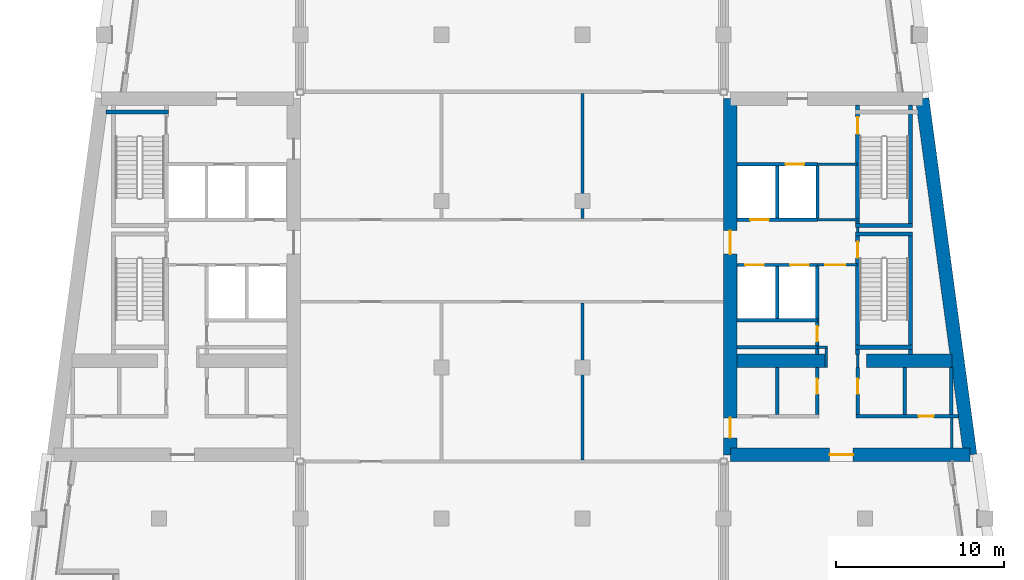
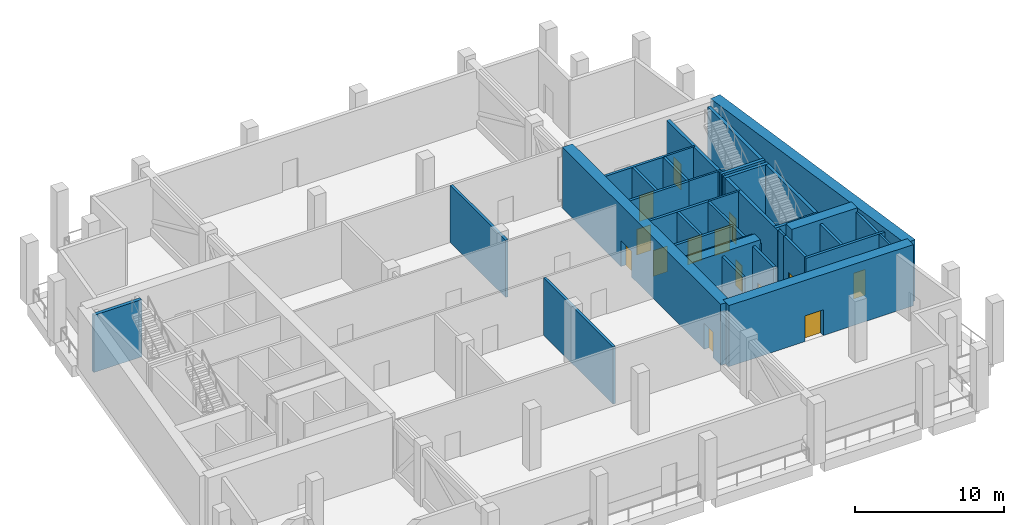
# One storey, part 6 of 11: 38 walls, 14 doors, 14 openings.
"""IFC4 building model written with IfcOpenShell, lengths in metres."""

from ifc_helpers import new_model, si_unit, direction, frame, frame_2d, origin, place, context, subcontext, project, spatial, rectangle, extrude, material, layer, layer_set, type_object, element, fill, save


model = new_model("IFC4")

# Units and contexts
model_context = context("Model", 3, precision=1e-05, world=origin(), true_north=direction((0.0, 1.0)))
body_context = subcontext(model_context, "Body", "Model", "MODEL_VIEW")
ifc_project = project(units=[si_unit("LENGTHUNIT", "METRE"), si_unit("AREAUNIT", "SQUARE_METRE"), si_unit("VOLUMEUNIT", "CUBIC_METRE"), si_unit("PLANEANGLEUNIT", "RADIAN"), si_unit("MASSUNIT", "GRAM", prefix="KILO")], contexts=[model_context])

# Site, building, storey
site_placement = place(None, origin())
site = spatial("IfcSite", under=ifc_project, at=site_placement, CompositionType="ELEMENT")
building_placement = place(site_placement, origin())
building = spatial("IfcBuilding", under=site, at=building_placement, Name="Candeia Pilgrim Tower and Theatre", CompositionType="ELEMENT")
storey_placement = place(building_placement, frame((0.0, 0.0, 254.0)))
storey = spatial("IfcBuildingStorey", under=building, at=storey_placement, Name="L61", CompositionType="ELEMENT", Elevation=254.0)

# Wall
ifc_material_1 = material(Name="Concrete C50/60", Category="concrete")
ifc_layer_1 = layer(ifc_material_1, 0.800048828125)
ifc_layer_set_1 = layer_set([ifc_layer_1], Name="Core wall 800 C50/60")
wall_type_1 = type_object("IfcWallType", Name="Core wall 800 C50/60", PredefinedType="SHEAR", material=ifc_layer_set_1)
wall_1_placement = place(storey_placement, frame((137.819580078125, 132.0, 0.0), z_axis=(0.0, 0.0, 1.0), x_axis=(0.133408347329, -0.991061154956, 0.0)))
element("IfcWall", 1, at=wall_1_placement, inside=storey, type_object=wall_type_1, Name="Core wall E2", PredefinedType="SHEAR", context=body_context, shape_type="SweptSolid", body=[
    extrude(rectangle(XDim=21.39111328125, YDim=0.800048828125, at=frame_2d((10.695556640625, 0.0))), origin(), (0.0, 0.0, 1.0), 5.0),
])

# Wall, opening, door
wall_2_placement = place(storey_placement, frame((140.67333984375, 110.800048828125, 0.0), z_axis=(0.0, 0.0, 1.0), x_axis=(-1.0, 0.0, 0.0)))
wall_2 = element("IfcWall", 2, at=wall_2_placement, inside=storey, type_object=wall_type_1, Name="Core wall E3", PredefinedType="SHEAR", context=body_context, shape_type="SweptSolid", body=[
    extrude(rectangle(XDim=14.2734375, YDim=0.800048828125, at=frame_2d((7.13671875, 0.0))), origin(), (0.0, 0.0, 1.0), 5.0),
])
opening_1_placement = place(wall_2_placement, frame((6.96533203125, 0.0, 0.0)))
opening_1 = element("IfcOpeningElement", 3, at=opening_1_placement, cuts=wall_2, Name="Opening L61-D027", PredefinedType="OPENING", context=body_context, shape_type="SweptSolid", body=[
    extrude(rectangle(XDim=1.39990234375, YDim=2.10009765625, at=frame_2d((0.699951171875, 1.050048828125))), frame((0.0, 0.41015625, 0.0), z_axis=(0.0, -1.0, 0.0), x_axis=(1.0, 0.0, 0.0)), (0.0, 0.0, 1.0), 0.820068359375),
])
ifc_material_2 = material(Name="Steel fire door set", Category="steel")
door_type_1 = type_object("IfcDoorType", Name="D-1400-FD60", OperationType="NOTDEFINED", PredefinedType="DOOR", material=ifc_material_2)
door_1_placement = place(opening_1_placement, origin())
door_1 = element("IfcDoor", 4, at=door_1_placement, inside=storey, type_object=door_type_1, Name="Door L61-D027", OperationType="SINGLE_SWING_RIGHT", OverallHeight=2.10009765625, OverallWidth=1.39990234375, PredefinedType="DOOR", context=body_context, shape_type="SweptSolid", body=[
    extrude(rectangle(XDim=1.39990234375, YDim=2.10009765625, at=frame_2d((0.699951171875, 1.050048828125))), frame((0.0, 0.02490234375, 0.0), z_axis=(0.0, -1.0, 0.0), x_axis=(1.0, 0.0, 0.0)), (0.0, 0.0, 1.0), 0.050048828125),
])
fill(opening_1, door_1)

# Wall, openings, doors
wall_3_placement = place(storey_placement, frame((126.39990234375, 110.800048828125, 0.0), z_axis=(0.0, 0.0, 1.0), x_axis=(0.0, 1.0, 0.0)))
wall_3 = element("IfcWall", 5, at=wall_3_placement, inside=storey, type_object=wall_type_1, Name="Core wall E4", PredefinedType="SHEAR", context=body_context, shape_type="SweptSolid", body=[
    extrude(rectangle(XDim=21.199951171875, YDim=0.800048828125, at=frame_2d((10.60009765625, 0.0))), origin(), (0.0, 0.0, 1.0), 5.0),
])
opening_2_placement = place(wall_3_placement, frame((1.0, 0.0, 0.0)))
opening_2 = element("IfcOpeningElement", 6, at=opening_2_placement, cuts=wall_3, Name="Opening L61-D030", PredefinedType="OPENING", context=body_context, shape_type="SweptSolid", body=[
    extrude(rectangle(XDim=1.199951171875, YDim=2.10009765625, at=frame_2d((0.60009765625, 1.050048828125))), frame((0.0, 0.41015625, 0.0), z_axis=(0.0, -1.0, 0.0), x_axis=(1.0, 0.0, 0.0)), (0.0, 0.0, 1.0), 0.820068359375),
])
opening_3_placement = place(wall_3_placement, frame((11.949951171875, 0.0, 0.0)))
opening_3 = element("IfcOpeningElement", 7, at=opening_3_placement, cuts=wall_3, Name="Opening L61-D032", PredefinedType="OPENING", context=body_context, shape_type="SweptSolid", body=[
    extrude(rectangle(XDim=1.39990234375, YDim=2.10009765625, at=frame_2d((0.699951171875, 1.050048828125))), frame((0.0, 0.41015625, 0.0), z_axis=(0.0, -1.0, 0.0), x_axis=(1.0, 0.0, 0.0)), (0.0, 0.0, 1.0), 0.820068359375),
])
door_type_2 = type_object("IfcDoorType", Name="D-1200-FD60", OperationType="NOTDEFINED", PredefinedType="DOOR", material=ifc_material_2)
door_2_placement = place(opening_2_placement, origin())
door_2 = element("IfcDoor", 8, at=door_2_placement, inside=storey, type_object=door_type_2, Name="Door L61-D030", OperationType="SINGLE_SWING_LEFT", OverallHeight=2.10009765625, OverallWidth=1.199951171875, PredefinedType="DOOR", context=body_context, shape_type="SweptSolid", body=[
    extrude(rectangle(XDim=1.199951171875, YDim=2.10009765625, at=frame_2d((0.60009765625, 1.050048828125))), frame((0.0, 0.02490234375, 0.0), z_axis=(0.0, -1.0, 0.0), x_axis=(1.0, 0.0, 0.0)), (0.0, 0.0, 1.0), 0.050048828125),
])
fill(opening_2, door_2)
door_3_placement = place(opening_3_placement, origin())
door_3 = element("IfcDoor", 9, at=door_3_placement, inside=storey, type_object=door_type_1, Name="Door L61-D032", OperationType="SINGLE_SWING_LEFT", OverallHeight=2.10009765625, OverallWidth=1.39990234375, PredefinedType="DOOR", context=body_context, shape_type="SweptSolid", body=[
    extrude(rectangle(XDim=1.39990234375, YDim=2.10009765625, at=frame_2d((0.699951171875, 1.050048828125))), frame((0.0, 0.02490234375, 0.0), z_axis=(0.0, -1.0, 0.0), x_axis=(1.0, 0.0, 0.0)), (0.0, 0.0, 1.0), 0.050048828125),
])
fill(opening_3, door_3)

# Walls
wall_4_placement = place(storey_placement, frame((126.800048828125, 116.39990234375, 0.0), z_axis=(0.0, 0.0, 1.0), x_axis=(1.0, 0.0, 0.0)))
element("IfcWall", 10, at=wall_4_placement, inside=storey, type_object=wall_type_1, Name="Core wall E5", PredefinedType="SHEAR", context=body_context, shape_type="SweptSolid", body=[
    extrude(rectangle(XDim=5.300048828125, YDim=0.800048828125, at=frame_2d((2.64990234375, 0.0))), origin(), (0.0, 0.0, 1.0), 5.0),
])
wall_5_placement = place(storey_placement, frame((134.5, 116.39990234375, 0.0), z_axis=(0.0, 0.0, 1.0), x_axis=(1.0, 0.0, 0.0)))
element("IfcWall", 11, at=wall_5_placement, inside=storey, type_object=wall_type_1, Name="Core wall E6", PredefinedType="SHEAR", context=body_context, shape_type="SweptSolid", body=[
    extrude(rectangle(XDim=5.076904296875, YDim=0.800048828125, at=frame_2d((2.53857421875, 0.0))), origin(), (0.0, 0.0, 1.0), 5.0),
])
ifc_material_3 = material(Name="Gypsum board partition on steel studs", Category="steel")
ifc_layer_2 = layer(ifc_material_3, 0.14990234375)
ifc_layer_set_2 = layer_set([ifc_layer_2], Name="PW-150 lobby wall")
wall_type_2 = type_object("IfcWallType", Name="PW-150 lobby wall", PredefinedType="PARTITIONING", material=ifc_layer_set_2)
wall_6_placement = place(storey_placement, frame((131.572998046875, 117.199951171875, 0.0), z_axis=(0.0, 0.0, 1.0), x_axis=(1.0, 0.0, 0.0)))
element("IfcWall", 12, at=wall_6_placement, inside=storey, type_object=wall_type_2, Name="Lobby wall L61-009", PredefinedType="PARTITIONING", context=body_context, shape_type="SweptSolid", body=[
    extrude(rectangle(XDim=0.60205078125, YDim=0.14990234375, at=frame_2d((0.301025390625, 0.0))), origin(), (0.0, 0.0, 1.0), 4.679931640625),
])

# Wall, opening, door
wall_7_placement = place(storey_placement, frame((131.572998046875, 122.10009765625, 0.0), z_axis=(0.0, 0.0, 1.0), x_axis=(1.0, 0.0, 0.0)))
wall_7 = element("IfcWall", 13, at=wall_7_placement, inside=storey, type_object=wall_type_2, Name="Lobby wall L61-018", PredefinedType="PARTITIONING", context=body_context, shape_type="SweptSolid", body=[
    extrude(rectangle(XDim=2.39990234375, YDim=0.14990234375, at=frame_2d((1.199951171875, 0.0))), origin(), (0.0, 0.0, 1.0), 4.679931640625),
])
opening_4_placement = place(wall_7_placement, frame((0.47509765625, 0.0, 0.0)))
opening_4 = element("IfcOpeningElement", 14, at=opening_4_placement, cuts=wall_7, Name="Opening L61-D017", PredefinedType="OPENING", context=body_context, shape_type="SweptSolid", body=[
    extrude(rectangle(XDim=1.199951171875, YDim=2.10009765625, at=frame_2d((0.60009765625, 1.050048828125))), frame((0.0, 0.0849609375, 0.0), z_axis=(0.0, -1.0, 0.0), x_axis=(1.0, 0.0, 0.0)), (0.0, 0.0, 1.0), 0.169921875),
])
door_4_placement = place(opening_4_placement, origin())
door_4 = element("IfcDoor", 15, at=door_4_placement, inside=storey, type_object=door_type_2, Name="Door L61-D017", OperationType="SINGLE_SWING_RIGHT", OverallHeight=2.10009765625, OverallWidth=1.199951171875, PredefinedType="DOOR", context=body_context, shape_type="SweptSolid", body=[
    extrude(rectangle(XDim=1.199951171875, YDim=2.10009765625, at=frame_2d((0.60009765625, 1.050048828125))), frame((0.0, 0.02490234375, 0.0), z_axis=(0.0, -1.0, 0.0), x_axis=(1.0, 0.0, 0.0)), (0.0, 0.0, 1.0), 0.050048828125),
])
fill(opening_4, door_4)

# Walls
wall_8_placement = place(storey_placement, frame((131.58203125, 124.800048828125, 0.0), z_axis=(0.0, 0.0, 1.0), x_axis=(1.0, 0.0, 0.0)))
element("IfcWall", 16, at=wall_8_placement, inside=storey, type_object=wall_type_2, Name="Lobby wall L61-025", PredefinedType="PARTITIONING", context=body_context, shape_type="SweptSolid", body=[
    extrude(rectangle(XDim=2.515869140625, YDim=0.14990234375, at=frame_2d((1.2578125, 0.0))), origin(), (0.0, 0.0, 1.0), 4.679931640625),
])
wall_9_placement = place(storey_placement, frame((131.58203125, 128.10009765625, 0.0), z_axis=(0.0, 0.0, 1.0), x_axis=(1.0, 0.0, 0.0)))
element("IfcWall", 17, at=wall_9_placement, inside=storey, type_object=wall_type_2, Name="Lobby wall L61-029", PredefinedType="PARTITIONING", context=body_context, shape_type="SweptSolid", body=[
    extrude(rectangle(XDim=2.390869140625, YDim=0.14990234375, at=frame_2d((1.1953125, 0.0))), origin(), (0.0, 0.0, 1.0), 4.679931640625),
])
wall_10_placement = place(storey_placement, frame((132.10009765625, 116.0, 0.0), z_axis=(0.0, 0.0, 1.0), x_axis=(0.0, 1.0, 0.0)))
element("IfcWall", 18, at=wall_10_placement, inside=storey, type_object=wall_type_2, Name="Lobby wall L61-064", PredefinedType="PARTITIONING", context=body_context, shape_type="SweptSolid", body=[
    extrude(rectangle(XDim=1.125, YDim=0.14990234375, at=frame_2d((0.5625, 0.0))), origin(), (0.0, 0.0, 1.0), 4.679931640625),
])
wall_11_placement = place(storey_placement, frame((133.972900390625, 116.0, 0.0), z_axis=(0.0, 0.0, 1.0), x_axis=(0.0, 1.0, 0.0)))
element("IfcWall", 19, at=wall_11_placement, inside=storey, type_object=wall_type_2, Name="Lobby wall L61-066", PredefinedType="PARTITIONING", context=body_context, shape_type="SweptSolid", body=[
    extrude(rectangle(XDim=0.77001953125, YDim=0.14990234375, at=frame_2d((0.385009765625, 0.0))), origin(), (0.0, 0.0, 1.0), 4.679931640625),
])
wall_12_placement = place(storey_placement, frame((133.972900390625, 124.074951171875, 0.0), z_axis=(0.0, 0.0, 1.0), x_axis=(0.0, 1.0, 0.0)))
element("IfcWall", 20, at=wall_12_placement, inside=storey, type_object=wall_type_2, Name="Lobby wall L61-067", PredefinedType="PARTITIONING", context=body_context, shape_type="SweptSolid", body=[
    extrude(rectangle(XDim=0.25, YDim=0.14990234375, at=frame_2d((0.125, 0.0))), origin(), (0.0, 0.0, 1.0), 4.679931640625),
])
wall_13_placement = place(storey_placement, frame((139.572998046875, 111.199951171875, 0.0), z_axis=(0.0, 0.0, 1.0), x_axis=(0.0, 1.0, 0.0)))
element("IfcWall", 21, at=wall_13_placement, inside=storey, type_object=wall_type_2, Name="Lobby wall L61-074", PredefinedType="PARTITIONING", context=body_context, shape_type="SweptSolid", body=[
    extrude(rectangle(XDim=1.800048828125, YDim=0.14990234375, at=frame_2d((0.89990234375, 0.0))), origin(), (0.0, 0.0, 1.0), 4.679931640625),
])
ifc_layer_3 = layer(ifc_material_3, 0.199951171875)
ifc_layer_set_3 = layer_set([ifc_layer_3], Name="PW-200 party wall")
wall_type_3 = type_object("IfcWallType", Name="PW-200 party wall", PredefinedType="PARTITIONING", material=ifc_layer_set_3)
wall_14_placement = place(storey_placement, frame((117.60009765625, 110.5, 0.0), z_axis=(0.0, 0.0, 1.0), x_axis=(0.0, 1.0, 0.0)))
element("IfcWall", 22, at=wall_14_placement, inside=storey, type_object=wall_type_3, Name="Party wall L61-054", PredefinedType="PARTITIONING", context=body_context, shape_type="SweptSolid", body=[
    extrude(rectangle(XDim=9.324951171875, YDim=0.199951171875, at=frame_2d((4.66259765625, 0.0))), origin(), (0.0, 0.0, 1.0), 4.679931640625),
])
wall_15_placement = place(storey_placement, frame((117.60009765625, 124.875, 0.0), z_axis=(0.0, 0.0, 1.0), x_axis=(0.0, 1.0, 0.0)))
element("IfcWall", 23, at=wall_15_placement, inside=storey, type_object=wall_type_3, Name="Party wall L61-055", PredefinedType="PARTITIONING", context=body_context, shape_type="SweptSolid", body=[
    extrude(rectangle(XDim=7.425048828125, YDim=0.199951171875, at=frame_2d((3.71240234375, 0.0))), origin(), (0.0, 0.0, 1.0), 4.679931640625),
])

# Wall, opening, door
ifc_material_4 = material(Name="Concrete C40/50", Category="concrete")
ifc_layer_4 = layer(ifc_material_4, 0.199951171875)
ifc_layer_set_4 = layer_set([ifc_layer_4], Name="SW-200 shaft wall")
wall_type_4 = type_object("IfcWallType", Name="SW-200 shaft wall", PredefinedType="PARTITIONING", material=ifc_layer_set_4)
wall_16_placement = place(storey_placement, frame((133.873046875, 113.10009765625, 0.0), z_axis=(0.0, 0.0, 1.0), x_axis=(1.0, 0.0, 0.0)))
wall_16 = element("IfcWall", 24, at=wall_16_placement, inside=storey, type_object=wall_type_4, Name="Shaft wall L61-005", PredefinedType="PARTITIONING", context=body_context, shape_type="SweptSolid", body=[
    extrude(rectangle(XDim=6.116943359375, YDim=0.199951171875, at=frame_2d((3.05859375, 0.0))), origin(), (0.0, 0.0, 1.0), 4.679931640625),
])
opening_5_placement = place(wall_16_placement, frame((3.72998046875, 0.0, 0.0)))
opening_5 = element("IfcOpeningElement", 25, at=opening_5_placement, cuts=wall_16, Name="Opening L61-D021", PredefinedType="OPENING", context=body_context, shape_type="SweptSolid", body=[
    extrude(rectangle(XDim=0.89990234375, YDim=2.10009765625, at=frame_2d((0.449951171875, 1.050048828125))), frame((0.0, 0.10986328125, 0.0), z_axis=(0.0, -1.0, 0.0), x_axis=(1.0, 0.0, 0.0)), (0.0, 0.0, 1.0), 0.219970703125),
])
door_type_3 = type_object("IfcDoorType", Name="D-900-FD60", OperationType="NOTDEFINED", PredefinedType="DOOR", material=ifc_material_2)
door_5_placement = place(opening_5_placement, origin())
door_5 = element("IfcDoor", 26, at=door_5_placement, inside=storey, type_object=door_type_3, Name="Door L61-D021", OperationType="SINGLE_SWING_RIGHT", OverallHeight=2.10009765625, OverallWidth=0.89990234375, PredefinedType="DOOR", context=body_context, shape_type="SweptSolid", body=[
    extrude(rectangle(XDim=0.89990234375, YDim=2.10009765625, at=frame_2d((0.449951171875, 1.050048828125))), frame((0.0, 0.02490234375, 0.0), z_axis=(0.0, -1.0, 0.0), x_axis=(1.0, 0.0, 0.0)), (0.0, 0.0, 1.0), 0.050048828125),
])
fill(opening_5, door_5)

# Walls
for number, where, z_axis, x_axis, name in (
    (27, (126.800048828125, 117.199951171875, 0.0), (0.0, 0.0, 1.0), (1.0, 0.0, 0.0), "Shaft wall L61-007"),
    (28, (126.800048828125, 118.800048828125, 0.0), (0.0, 0.0, 1.0), (1.0, 0.0, 0.0), "Shaft wall L61-013"),
):
    element("IfcWall", number, at=place(storey_placement, frame(where, z_axis=z_axis, x_axis=x_axis)), inside=storey, type_object=wall_type_4, Name=name, PredefinedType="PARTITIONING", context=body_context, shape_type="SweptSolid", body=[
        extrude(rectangle(XDim=4.77294921875, YDim=0.199951171875, at=frame_2d((2.386474609375, 0.0))), origin(), (0.0, 0.0, 1.0), 4.679931640625),
    ])

# Wall, openings, doors
wall_17_placement = place(storey_placement, frame((126.800048828125, 122.10009765625, 0.0), z_axis=(0.0, 0.0, 1.0), x_axis=(1.0, 0.0, 0.0)))
wall_17 = element("IfcWall", 29, at=wall_17_placement, inside=storey, type_object=wall_type_4, Name="Shaft wall L61-016", PredefinedType="PARTITIONING", context=body_context, shape_type="SweptSolid", body=[
    extrude(rectangle(XDim=4.77294921875, YDim=0.199951171875, at=frame_2d((2.386474609375, 0.0))), origin(), (0.0, 0.0, 1.0), 4.679931640625),
])
opening_6_placement = place(wall_17_placement, frame((3.176025390625, 0.0, 0.0)))
opening_6 = element("IfcOpeningElement", 30, at=opening_6_placement, cuts=wall_17, Name="Opening L61-LD05", PredefinedType="OPENING", context=body_context, shape_type="SweptSolid", body=[
    extrude(rectangle(XDim=1.10009765625, YDim=2.10009765625, at=frame_2d((0.550048828125, 1.050048828125))), frame((0.0, 0.10986328125, 0.0), z_axis=(0.0, -1.0, 0.0), x_axis=(1.0, 0.0, 0.0)), (0.0, 0.0, 1.0), 0.219970703125),
])
opening_7_placement = place(wall_17_placement, frame((0.4970703125, 0.0, 0.0)))
opening_7 = element("IfcOpeningElement", 31, at=opening_7_placement, cuts=wall_17, Name="Opening L61-LD06", PredefinedType="OPENING", context=body_context, shape_type="SweptSolid", body=[
    extrude(rectangle(XDim=1.10009765625, YDim=2.10009765625, at=frame_2d((0.550048828125, 1.050048828125))), frame((0.0, 0.10986328125, 0.0), z_axis=(0.0, -1.0, 0.0), x_axis=(1.0, 0.0, 0.0)), (0.0, 0.0, 1.0), 0.219970703125),
])
ifc_material_5 = material(Name="Glazed aluminium landing door", Category="aluminium")
door_type_4 = type_object("IfcDoorType", Name="LD-1100-EI120", OperationType="SLIDING_TO_LEFT", PredefinedType="DOOR", material=ifc_material_5)
door_6_placement = place(opening_6_placement, origin())
door_6 = element("IfcDoor", 32, at=door_6_placement, inside=storey, type_object=door_type_4, Name="Landing door 05 L61", OperationType="SLIDING_TO_LEFT", OverallHeight=2.10009765625, OverallWidth=1.10009765625, PredefinedType="DOOR", context=body_context, shape_type="SweptSolid", body=[
    extrude(rectangle(XDim=1.10009765625, YDim=2.10009765625, at=frame_2d((0.550048828125, 1.050048828125))), frame((0.0, 0.02490234375, 0.0), z_axis=(0.0, -1.0, 0.0), x_axis=(1.0, 0.0, 0.0)), (0.0, 0.0, 1.0), 0.050048828125),
])
fill(opening_6, door_6)
door_7_placement = place(opening_7_placement, origin())
door_7 = element("IfcDoor", 33, at=door_7_placement, inside=storey, type_object=door_type_4, Name="Landing door 06 L61", OperationType="SLIDING_TO_LEFT", OverallHeight=2.10009765625, OverallWidth=1.10009765625, PredefinedType="DOOR", context=body_context, shape_type="SweptSolid", body=[
    extrude(rectangle(XDim=1.10009765625, YDim=2.10009765625, at=frame_2d((0.550048828125, 1.050048828125))), frame((0.0, 0.02490234375, 0.0), z_axis=(0.0, -1.0, 0.0), x_axis=(1.0, 0.0, 0.0)), (0.0, 0.0, 1.0), 0.050048828125),
])
fill(opening_7, door_7)

# Wall, opening, door
wall_18_placement = place(storey_placement, frame((126.800048828125, 124.800048828125, 0.0), z_axis=(0.0, 0.0, 1.0), x_axis=(1.0, 0.0, 0.0)))
wall_18 = element("IfcWall", 34, at=wall_18_placement, inside=storey, type_object=wall_type_4, Name="Shaft wall L61-024", PredefinedType="PARTITIONING", context=body_context, shape_type="SweptSolid", body=[
    extrude(rectangle(XDim=4.781982421875, YDim=0.199951171875, at=frame_2d((2.39111328125, 0.0))), origin(), (0.0, 0.0, 1.0), 4.679931640625),
])
opening_8_placement = place(wall_18_placement, frame((0.79296875, 0.0, 0.0)))
opening_8 = element("IfcOpeningElement", 35, at=opening_8_placement, cuts=wall_18, Name="Opening L61-LD08", PredefinedType="OPENING", context=body_context, shape_type="SweptSolid", body=[
    extrude(rectangle(XDim=1.10009765625, YDim=2.10009765625, at=frame_2d((0.550048828125, 1.050048828125))), frame((0.0, 0.10986328125, 0.0), z_axis=(0.0, -1.0, 0.0), x_axis=(1.0, 0.0, 0.0)), (0.0, 0.0, 1.0), 0.219970703125),
])
door_8_placement = place(opening_8_placement, origin())
door_8 = element("IfcDoor", 36, at=door_8_placement, inside=storey, type_object=door_type_4, Name="Landing door 08 L61", OperationType="SLIDING_TO_LEFT", OverallHeight=2.10009765625, OverallWidth=1.10009765625, PredefinedType="DOOR", context=body_context, shape_type="SweptSolid", body=[
    extrude(rectangle(XDim=1.10009765625, YDim=2.10009765625, at=frame_2d((0.550048828125, 1.050048828125))), frame((0.0, 0.02490234375, 0.0), z_axis=(0.0, -1.0, 0.0), x_axis=(1.0, 0.0, 0.0)), (0.0, 0.0, 1.0), 0.050048828125),
])
fill(opening_8, door_8)

wall_19_placement = place(storey_placement, frame((126.800048828125, 128.10009765625, 0.0), z_axis=(0.0, 0.0, 1.0), x_axis=(1.0, 0.0, 0.0)))
wall_19 = element("IfcWall", 37, at=wall_19_placement, inside=storey, type_object=wall_type_4, Name="Shaft wall L61-028", PredefinedType="PARTITIONING", context=body_context, shape_type="SweptSolid", body=[
    extrude(rectangle(XDim=4.781982421875, YDim=0.199951171875, at=frame_2d((2.39111328125, 0.0))), origin(), (0.0, 0.0, 1.0), 4.679931640625),
])
opening_9_placement = place(wall_19_placement, frame((2.888916015625, 0.0, 0.0)))
opening_9 = element("IfcOpeningElement", 38, at=opening_9_placement, cuts=wall_19, Name="Opening L61-LD07", PredefinedType="OPENING", context=body_context, shape_type="SweptSolid", body=[
    extrude(rectangle(XDim=1.10009765625, YDim=2.10009765625, at=frame_2d((0.550048828125, 1.050048828125))), frame((0.0, 0.10986328125, 0.0), z_axis=(0.0, -1.0, 0.0), x_axis=(1.0, 0.0, 0.0)), (0.0, 0.0, 1.0), 0.219970703125),
])
door_9_placement = place(opening_9_placement, origin())
door_9 = element("IfcDoor", 39, at=door_9_placement, inside=storey, type_object=door_type_4, Name="Landing door 07 L61", OperationType="SLIDING_TO_LEFT", OverallHeight=2.10009765625, OverallWidth=1.10009765625, PredefinedType="DOOR", context=body_context, shape_type="SweptSolid", body=[
    extrude(rectangle(XDim=1.10009765625, YDim=2.10009765625, at=frame_2d((0.550048828125, 1.050048828125))), frame((0.0, 0.02490234375, 0.0), z_axis=(0.0, -1.0, 0.0), x_axis=(1.0, 0.0, 0.0)), (0.0, 0.0, 1.0), 0.050048828125),
])
fill(opening_9, door_9)

# Walls
wall_20_placement = place(storey_placement, frame((129.1865234375, 113.199951171875, 0.0), z_axis=(0.0, 0.0, 1.0), x_axis=(0.0, 1.0, 0.0)))
element("IfcWall", 40, at=wall_20_placement, inside=storey, type_object=wall_type_4, Name="Shaft wall L61-058", PredefinedType="PARTITIONING", context=body_context, shape_type="SweptSolid", body=[
    extrude(rectangle(XDim=2.800048828125, YDim=0.199951171875, at=frame_2d((1.39990234375, 0.0))), origin(), (0.0, 0.0, 1.0), 4.679931640625),
])
for number, where, z_axis, x_axis, name in (
    (41, (129.1865234375, 118.89990234375, 0.0), (0.0, 0.0, 1.0), (0.0, 1.0, 0.0), "Shaft wall L61-059"),
    (42, (129.19091796875, 124.89990234375, 0.0), (0.0, 0.0, 1.0), (0.0, 1.0, 0.0), "Shaft wall L61-060"),
):
    element("IfcWall", number, at=place(storey_placement, frame(where, z_axis=z_axis, x_axis=x_axis)), inside=storey, type_object=wall_type_4, Name=name, PredefinedType="PARTITIONING", context=body_context, shape_type="SweptSolid", body=[
        extrude(rectangle(XDim=3.10009765625, YDim=0.199951171875, at=frame_2d((1.550048828125, 0.0))), origin(), (0.0, 0.0, 1.0), 4.679931640625),
    ])

# Wall, opening, door
wall_21_placement = place(storey_placement, frame((131.572998046875, 113.199951171875, 0.0), z_axis=(0.0, 0.0, 1.0), x_axis=(0.0, 1.0, 0.0)))
wall_21 = element("IfcWall", 43, at=wall_21_placement, inside=storey, type_object=wall_type_4, Name="Shaft wall L61-061", PredefinedType="PARTITIONING", context=body_context, shape_type="SweptSolid", body=[
    extrude(rectangle(XDim=2.800048828125, YDim=0.199951171875, at=frame_2d((1.39990234375, 0.0))), origin(), (0.0, 0.0, 1.0), 4.679931640625),
])
opening_10_placement = place(wall_21_placement, frame((1.22509765625, 0.0, 0.0)))
opening_10 = element("IfcOpeningElement", 44, at=opening_10_placement, cuts=wall_21, Name="Opening L61-D023", PredefinedType="OPENING", context=body_context, shape_type="SweptSolid", body=[
    extrude(rectangle(XDim=0.89990234375, YDim=2.10009765625, at=frame_2d((0.449951171875, 1.050048828125))), frame((0.0, 0.10986328125, 0.0), z_axis=(0.0, -1.0, 0.0), x_axis=(1.0, 0.0, 0.0)), (0.0, 0.0, 1.0), 0.219970703125),
])
door_10_placement = place(opening_10_placement, origin())
door_10 = element("IfcDoor", 45, at=door_10_placement, inside=storey, type_object=door_type_3, Name="Door L61-D023", OperationType="SINGLE_SWING_RIGHT", OverallHeight=2.10009765625, OverallWidth=0.89990234375, PredefinedType="DOOR", context=body_context, shape_type="SweptSolid", body=[
    extrude(rectangle(XDim=0.89990234375, YDim=2.10009765625, at=frame_2d((0.449951171875, 1.050048828125))), frame((0.0, 0.02490234375, 0.0), z_axis=(0.0, -1.0, 0.0), x_axis=(1.0, 0.0, 0.0)), (0.0, 0.0, 1.0), 0.050048828125),
])
fill(opening_10, door_10)

wall_22_placement = place(storey_placement, frame((131.572998046875, 116.77001953125, 0.0), z_axis=(0.0, 0.0, 1.0), x_axis=(0.0, 1.0, 0.0)))
wall_22 = element("IfcWall", 46, at=wall_22_placement, inside=storey, type_object=wall_type_4, Name="Shaft wall L61-062", PredefinedType="PARTITIONING", context=body_context, shape_type="SweptSolid", body=[
    extrude(rectangle(XDim=5.22998046875, YDim=0.199951171875, at=frame_2d((2.614990234375, 0.0))), origin(), (0.0, 0.0, 1.0), 4.679931640625),
])
opening_11_placement = place(wall_22_placement, frame((0.780029296875, 0.0, 0.0)))
opening_11 = element("IfcOpeningElement", 47, at=opening_11_placement, cuts=wall_22, Name="Opening L61-D020", PredefinedType="OPENING", context=body_context, shape_type="SweptSolid", body=[
    extrude(rectangle(XDim=0.89990234375, YDim=2.10009765625, at=frame_2d((0.449951171875, 1.050048828125))), frame((0.0, 0.10986328125, 0.0), z_axis=(0.0, -1.0, 0.0), x_axis=(1.0, 0.0, 0.0)), (0.0, 0.0, 1.0), 0.219970703125),
])
door_11_placement = place(opening_11_placement, origin())
door_11 = element("IfcDoor", 48, at=door_11_placement, inside=storey, type_object=door_type_3, Name="Door L61-D020", OperationType="SINGLE_SWING_LEFT", OverallHeight=2.10009765625, OverallWidth=0.89990234375, PredefinedType="DOOR", context=body_context, shape_type="SweptSolid", body=[
    extrude(rectangle(XDim=0.89990234375, YDim=2.10009765625, at=frame_2d((0.449951171875, 1.050048828125))), frame((0.0, 0.02490234375, 0.0), z_axis=(0.0, -1.0, 0.0), x_axis=(1.0, 0.0, 0.0)), (0.0, 0.0, 1.0), 0.050048828125),
])
fill(opening_11, door_11)

# Wall
wall_23_placement = place(storey_placement, frame((131.58203125, 124.89990234375, 0.0), z_axis=(0.0, 0.0, 1.0), x_axis=(0.0, 1.0, 0.0)))
element("IfcWall", 49, at=wall_23_placement, inside=storey, type_object=wall_type_4, Name="Shaft wall L61-063", PredefinedType="PARTITIONING", context=body_context, shape_type="SweptSolid", body=[
    extrude(rectangle(XDim=3.10009765625, YDim=0.199951171875, at=frame_2d((1.550048828125, 0.0))), origin(), (0.0, 0.0, 1.0), 4.679931640625),
])

# Wall, opening, door
wall_24_placement = place(storey_placement, frame((133.972900390625, 113.199951171875, 0.0), z_axis=(0.0, 0.0, 1.0), x_axis=(0.0, 1.0, 0.0)))
wall_24 = element("IfcWall", 50, at=wall_24_placement, inside=storey, type_object=wall_type_4, Name="Shaft wall L61-065", PredefinedType="PARTITIONING", context=body_context, shape_type="SweptSolid", body=[
    extrude(rectangle(XDim=2.800048828125, YDim=0.199951171875, at=frame_2d((1.39990234375, 0.0))), origin(), (0.0, 0.0, 1.0), 4.679931640625),
])
opening_12_placement = place(wall_24_placement, frame((1.22509765625, 0.0, 0.0)))
opening_12 = element("IfcOpeningElement", 51, at=opening_12_placement, cuts=wall_24, Name="Opening L61-D022", PredefinedType="OPENING", context=body_context, shape_type="SweptSolid", body=[
    extrude(rectangle(XDim=0.89990234375, YDim=2.10009765625, at=frame_2d((0.449951171875, 1.050048828125))), frame((0.0, 0.10986328125, 0.0), z_axis=(0.0, -1.0, 0.0), x_axis=(1.0, 0.0, 0.0)), (0.0, 0.0, 1.0), 0.219970703125),
])
door_12_placement = place(opening_12_placement, origin())
door_12 = element("IfcDoor", 52, at=door_12_placement, inside=storey, type_object=door_type_3, Name="Door L61-D022", OperationType="SINGLE_SWING_LEFT", OverallHeight=2.10009765625, OverallWidth=0.89990234375, PredefinedType="DOOR", context=body_context, shape_type="SweptSolid", body=[
    extrude(rectangle(XDim=0.89990234375, YDim=2.10009765625, at=frame_2d((0.449951171875, 1.050048828125))), frame((0.0, 0.02490234375, 0.0), z_axis=(0.0, -1.0, 0.0), x_axis=(1.0, 0.0, 0.0)), (0.0, 0.0, 1.0), 0.050048828125),
])
fill(opening_12, door_12)

# Walls
for number, where, z_axis, x_axis, name in (
    (53, (136.77294921875, 113.199951171875, 0.0), (0.0, 0.0, 1.0), (0.0, 1.0, 0.0), "Shaft wall L61-070"),
    (54, (139.550537109375, 113.199951171875, 0.0), (0.0, 0.0, 1.0), (0.0, 1.0, 0.0), "Shaft wall L61-073"),
):
    element("IfcWall", number, at=place(storey_placement, frame(where, z_axis=z_axis, x_axis=x_axis)), inside=storey, type_object=wall_type_4, Name=name, PredefinedType="PARTITIONING", context=body_context, shape_type="SweptSolid", body=[
        extrude(rectangle(XDim=2.800048828125, YDim=0.199951171875, at=frame_2d((1.39990234375, 0.0))), origin(), (0.0, 0.0, 1.0), 4.679931640625),
    ])
ifc_layer_5 = layer(ifc_material_4, 0.25)
ifc_layer_set_5 = layer_set([ifc_layer_5], Name="SW-250 stair wall")
wall_type_5 = type_object("IfcWallType", Name="SW-250 stair wall", PredefinedType="PARTITIONING", material=ifc_layer_set_5)
for number, where, z_axis, x_axis, name in (
    (55, (133.847900390625, 117.199951171875, 0.0), (0.0, 0.0, 1.0), (1.0, 0.0, 0.0), "Stair wall L61-011"),
    (56, (133.847900390625, 123.949951171875, 0.0), (0.0, 0.0, 1.0), (1.0, 0.0, 0.0), "Stair wall L61-020"),
    (57, (133.847900390625, 124.449951171875, 0.0), (0.0, 0.0, 1.0), (1.0, 0.0, 0.0), "Stair wall L61-022"),
):
    element("IfcWall", number, at=place(storey_placement, frame(where, z_axis=z_axis, x_axis=x_axis)), inside=storey, type_object=wall_type_5, Name=name, PredefinedType="PARTITIONING", context=body_context, shape_type="SweptSolid", body=[
        extrude(rectangle(XDim=3.400146484375, YDim=0.25, at=frame_2d((1.7001953125, 0.0))), origin(), (0.0, 0.0, 1.0), 4.679931640625),
    ])
wall_25_placement = place(storey_placement, frame((89.246337890625, 131.199951171875, 0.0), z_axis=(0.0, 0.0, 1.0), x_axis=(1.0, 0.0, 0.0)))
element("IfcWall", 58, at=wall_25_placement, inside=storey, type_object=wall_type_5, Name="Stair wall L61-030", PredefinedType="PARTITIONING", context=body_context, shape_type="SweptSolid", body=[
    extrude(rectangle(XDim=3.70556640625, YDim=0.25, at=frame_2d((1.852783203125, 0.0))), origin(), (0.0, 0.0, 1.0), 4.679931640625),
])

# Wall, opening, door
wall_26_placement = place(storey_placement, frame((133.972900390625, 116.77001953125, 0.0), z_axis=(0.0, 0.0, 1.0), x_axis=(0.0, 1.0, 0.0)))
wall_26 = element("IfcWall", 59, at=wall_26_placement, inside=storey, type_object=wall_type_5, Name="Stair wall L61-068", PredefinedType="PARTITIONING", context=body_context, shape_type="SweptSolid", body=[
    extrude(rectangle(XDim=7.054931640625, YDim=0.25, at=frame_2d((3.52734375, 0.0))), origin(), (0.0, 0.0, 1.0), 4.679931640625),
])
opening_13_placement = place(wall_26_placement, frame((5.7548828125, 0.0, 0.0)))
opening_13 = element("IfcOpeningElement", 60, at=opening_13_placement, cuts=wall_26, Name="Opening L61-D018", PredefinedType="OPENING", context=body_context, shape_type="SweptSolid", body=[
    extrude(rectangle(XDim=0.949951171875, YDim=2.10009765625, at=frame_2d((0.47509765625, 1.050048828125))), frame((0.0, 0.135009765625, 0.0), z_axis=(0.0, -1.0, 0.0), x_axis=(1.0, 0.0, 0.0)), (0.0, 0.0, 1.0), 0.27001953125),
])
door_type_5 = type_object("IfcDoorType", Name="D-950-FD60", OperationType="NOTDEFINED", PredefinedType="DOOR", material=ifc_material_2)
door_13_placement = place(opening_13_placement, origin())
door_13 = element("IfcDoor", 61, at=door_13_placement, inside=storey, type_object=door_type_5, Name="Door L61-D018", OperationType="SINGLE_SWING_LEFT", OverallHeight=2.10009765625, OverallWidth=0.949951171875, PredefinedType="DOOR", context=body_context, shape_type="SweptSolid", body=[
    extrude(rectangle(XDim=0.949951171875, YDim=2.10009765625, at=frame_2d((0.47509765625, 1.050048828125))), frame((0.0, 0.02490234375, 0.0), z_axis=(0.0, -1.0, 0.0), x_axis=(1.0, 0.0, 0.0)), (0.0, 0.0, 1.0), 0.050048828125),
])
fill(opening_13, door_13)

wall_27_placement = place(storey_placement, frame((133.972900390625, 124.574951171875, 0.0), z_axis=(0.0, 0.0, 1.0), x_axis=(0.0, 1.0, 0.0)))
wall_27 = element("IfcWall", 62, at=wall_27_placement, inside=storey, type_object=wall_type_5, Name="Stair wall L61-069", PredefinedType="PARTITIONING", context=body_context, shape_type="SweptSolid", body=[
    extrude(rectangle(XDim=7.054931640625, YDim=0.25, at=frame_2d((3.52734375, 0.0))), origin(), (0.0, 0.0, 1.0), 4.679931640625),
])
opening_14_placement = place(wall_27_placement, frame((5.324951171875, 0.0, 0.0)))
opening_14 = element("IfcOpeningElement", 63, at=opening_14_placement, cuts=wall_27, Name="Opening L61-D019", PredefinedType="OPENING", context=body_context, shape_type="SweptSolid", body=[
    extrude(rectangle(XDim=1.0, YDim=2.10009765625, at=frame_2d((0.5, 1.050048828125))), frame((0.0, 0.135009765625, 0.0), z_axis=(0.0, -1.0, 0.0), x_axis=(1.0, 0.0, 0.0)), (0.0, 0.0, 1.0), 0.27001953125),
])
door_type_6 = type_object("IfcDoorType", Name="D-1000-FD60", OperationType="NOTDEFINED", PredefinedType="DOOR", material=ifc_material_2)
door_14_placement = place(opening_14_placement, origin())
door_14 = element("IfcDoor", 64, at=door_14_placement, inside=storey, type_object=door_type_6, Name="Door L61-D019", OperationType="SINGLE_SWING_RIGHT", OverallHeight=2.10009765625, OverallWidth=1.0, PredefinedType="DOOR", context=body_context, shape_type="SweptSolid", body=[
    extrude(rectangle(XDim=1.0, YDim=2.10009765625, at=frame_2d((0.5, 1.050048828125))), frame((0.0, 0.02490234375, 0.0), z_axis=(0.0, -1.0, 0.0), x_axis=(1.0, 0.0, 0.0)), (0.0, 0.0, 1.0), 0.050048828125),
])
fill(opening_14, door_14)

# Walls
for number, where, z_axis, x_axis, name in (
    (65, (137.123046875, 116.77001953125, 0.0), (0.0, 0.0, 1.0), (0.0, 1.0, 0.0), "Stair wall L61-071"),
    (66, (137.123046875, 124.574951171875, 0.0), (0.0, 0.0, 1.0), (0.0, 1.0, 0.0), "Stair wall L61-072"),
):
    element("IfcWall", number, at=place(storey_placement, frame(where, z_axis=z_axis, x_axis=x_axis)), inside=storey, type_object=wall_type_5, Name=name, PredefinedType="PARTITIONING", context=body_context, shape_type="SweptSolid", body=[
        extrude(rectangle(XDim=7.054931640625, YDim=0.25, at=frame_2d((3.52734375, 0.0))), origin(), (0.0, 0.0, 1.0), 4.679931640625),
    ])

save(model, "model.ifc")
